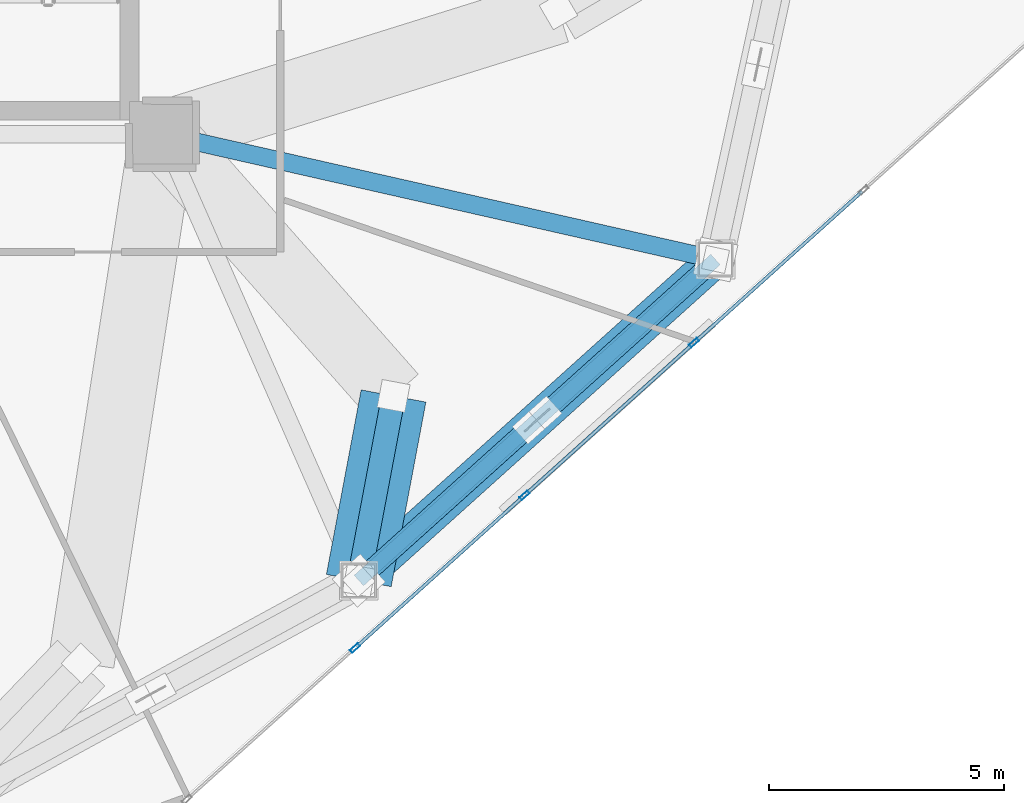
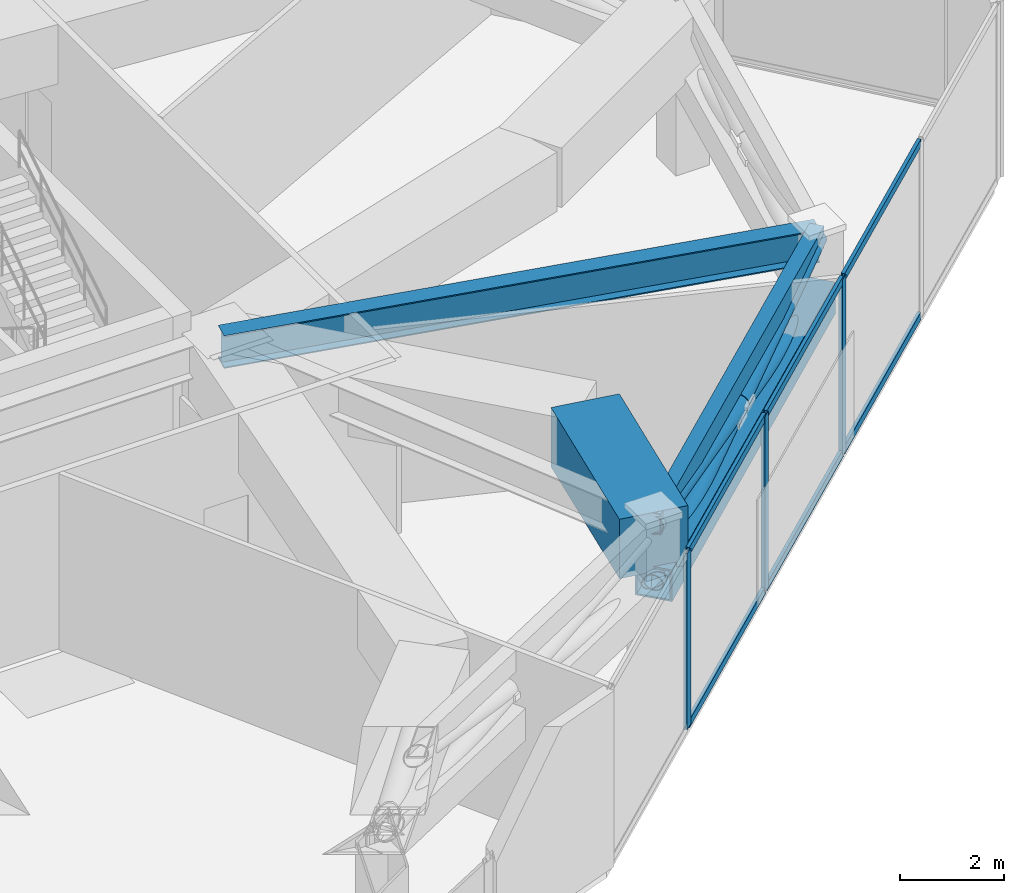
# One storey, part 10 of 25: 14 members, 3 beams, 1 element without a shape of its own.
"""IFC4 building model written with IfcOpenShell, lengths in metres."""

from ifc_helpers import new_model, si_unit, direction, frame, origin, origin_2d, place, context, subcontext, project, spatial, rectangle, hollow_rectangle, hollow_circle, i_section, extrude, source, transform, mapped, material, layer, layer_set, material_profile, profile_set, type_object, type_shapes, element, aggregate, save


model = new_model("IFC4")

# Units and contexts
model_context = context("Model", 3, precision=1e-05, world=origin(), true_north=direction((0.0, 1.0)))
body_context = subcontext(model_context, "Body", "Model", "MODEL_VIEW")
ifc_project = project(units=[si_unit("LENGTHUNIT", "METRE"), si_unit("AREAUNIT", "SQUARE_METRE"), si_unit("VOLUMEUNIT", "CUBIC_METRE"), si_unit("PLANEANGLEUNIT", "RADIAN"), si_unit("MASSUNIT", "GRAM", prefix="KILO")], contexts=[model_context])

# Site, building, storey
site_placement = place(None, origin())
site = spatial("IfcSite", under=ifc_project, at=site_placement, CompositionType="ELEMENT")
building_placement = place(site_placement, origin())
building = spatial("IfcBuilding", under=site, at=building_placement, Name="Talar Marvaseh", CompositionType="ELEMENT")
storey_placement = place(building_placement, frame((0.0, 0.0, 84.800048828125)))
storey = spatial("IfcBuildingStorey", under=building, at=storey_placement, Name="L21", CompositionType="ELEMENT", Elevation=84.800048828125)

# Beams
ifc_material_1 = material(Name="Concrete C70/85", Category="concrete")
ifc_material_profile_1 = material_profile(ifc_material_1, rectangle(XDim=1.39990234375, YDim=1.39990234375, at=origin_2d()), Name="RC1400x1400")
ifc_profile_set_1 = profile_set([ifc_material_profile_1], Name="Concrete C70/85")
beam_type_1 = type_object("IfcBeamType", Name="Setback Deep Concrete Transfer Girder RC1400x1400", PredefinedType="BEAM", material=ifc_profile_set_1)
beam_1_placement = place(storey_placement, frame((37.468017578125, 16.02099609375, 3.449951171875), z_axis=(0.18502758163, 0.982733328038, 0.0), x_axis=(-0.982733328038, 0.18502758163, 0.0)))
element("IfcBeam", 1, at=beam_1_placement, inside=storey, type_object=beam_type_1, Name="L21 Setback Cantilever Transfer Girder 4", PredefinedType="BEAM", context=body_context, shape_type="SweptSolid", body=[
    extrude(rectangle(XDim=1.39990234375, YDim=1.39990234375, at=origin_2d()), origin(), (0.0, 0.0, 1.0), 3.98876953125),
])
ifc_material_2 = material(Name="Steel S355", Category="steel")
ifc_material_profile_2 = material_profile(ifc_material_2, hollow_rectangle(XDim=0.300048828125, YDim=0.5, WallThickness=0.02001953125, at=origin_2d()), Name="RHS500x300x20")
ifc_profile_set_2 = profile_set([ifc_material_profile_2], Name="Steel S355")
beam_type_2 = type_object("IfcBeamType", Name="Zone 1 Perimeter Spandrel Beam RHS500x300x20", PredefinedType="SPANDREL", material=ifc_profile_set_2)
beam_2_placement = place(storey_placement, frame((45.0439453125, 22.840087890625, 3.89990234375), z_axis=(-0.743257224494, -0.669005753516, 0.0), x_axis=(0.669005753516, -0.743257224494, 0.0)))
element("IfcBeam", 2, at=beam_2_placement, inside=storey, type_object=beam_type_2, Name="L21 Zone 1 Perimeter Spandrel Beam RHS500x300x20", PredefinedType="SPANDREL", context=body_context, shape_type="SweptSolid", body=[
    extrude(hollow_rectangle(XDim=0.300048828125, YDim=0.5, WallThickness=0.02001953125, at=origin_2d()), origin(), (0.0, 0.0, 1.0), 10.19287109375),
])
ifc_material_profile_3 = material_profile(ifc_material_2, i_section(OverallWidth=0.381103515625, OverallDepth=0.77294921875, WebThickness=0.0166015625, FlangeThickness=0.027099609375, at=origin_2d()), Name="W760x257")
ifc_profile_set_3 = profile_set([ifc_material_profile_3], Name="Steel S355")
beam_type_3 = type_object("IfcBeamType", Name="Zone 1 Radial Floor Girder W760x257", PredefinedType="BEAM", material=ifc_profile_set_3)
beam_3_placement = place(storey_placement, frame((45.0439453125, 22.840087890625, 3.763427734375), z_axis=(-0.975296900374, 0.220898067263, 0.0), x_axis=(-0.220898067263, -0.975296900374, 0.0)))
element("IfcBeam", 3, at=beam_3_placement, inside=storey, type_object=beam_type_3, Name="L21 Zone 1 Radial Floor Girder W760x257", PredefinedType="BEAM", context=body_context, shape_type="SweptSolid", body=[
    extrude(i_section(OverallWidth=0.381103515625, OverallDepth=0.77294921875, WebThickness=0.0166015625, FlangeThickness=0.027099609375, at=origin_2d()), origin(), (0.0, 0.0, 1.0), 12.041259765625),
])

# Members
ifc_material_3 = material(Name="Steel S460", Category="steel")
ifc_material_profile_4 = material_profile(ifc_material_3, hollow_circle(Radius=0.25390625, WallThickness=0.02001953125, at=origin_2d()), Name="CHS508x20")
ifc_profile_set_4 = profile_set([ifc_material_profile_4], Name="Steel S460")
member_type_1 = type_object("IfcMemberType", Name="Crown Frame Diagonal Brace CHS508x20", PredefinedType="BRACE", material=ifc_profile_set_4)
shared_shape_1 = source(origin(), body_context, "Body", "SweptSolid", [
    extrude(hollow_circle(Radius=0.25390625, WallThickness=0.02001953125, at=origin_2d()), origin(), (0.0, 0.0, 1.0), 4.1376953125),
])
type_shapes(member_type_1, [shared_shape_1])
member_1_placement = place(storey_placement, frame((37.468017578125, 16.02099609375, 2.550048828125), z_axis=(0.178370996439, 0.94737833901, 0.265815858074), x_axis=(-0.982733328038, 0.18502758163, 0.0)))
element("IfcMember", 4, at=member_1_placement, inside=storey, type_object=member_type_1, Name="L21 Setback Transfer Raked Strut 4", PredefinedType="BRACE", context=body_context, shape_type="MappedRepresentation", body=[
    mapped(shared_shape_1, transform((0.0, 0.0, 0.0), x_axis=(1.0, 0.0, 0.0), y_axis=(0.0, 1.0, 0.0), z_axis=(0.0, 0.0, 1.0), scale=1.0)),
])
ifc_material_profile_5 = material_profile(ifc_material_3, hollow_rectangle(XDim=0.75, YDim=0.75, WallThickness=0.0400390625, at=origin_2d()), Name="BOX750x750x40")
ifc_profile_set_5 = profile_set([ifc_material_profile_5], Name="Steel S460")
member_type_2 = type_object("IfcMemberType", Name="Belt Truss Chord Member BOX750x750x40", PredefinedType="CHORD", material=ifc_profile_set_5)
shared_shape_2 = source(origin(), body_context, "Body", "SweptSolid", [
    extrude(hollow_rectangle(XDim=0.75, YDim=0.75, WallThickness=0.0400390625, at=origin_2d()), origin(), (0.0, 0.0, 1.0), 10.19287109375),
])
type_shapes(member_type_2, [shared_shape_2])
member_2_placement = place(storey_placement, frame((45.0439453125, 22.840087890625, 2.5), z_axis=(-0.743257224494, -0.669005753516, 0.0), x_axis=(0.669005753516, -0.743257224494, 0.0)))
element("IfcMember", 5, at=member_2_placement, inside=storey, type_object=member_type_2, Name="L21 Belt Truss Bottom Chord 3", PredefinedType="CHORD", context=body_context, shape_type="MappedRepresentation", body=[
    mapped(shared_shape_2, transform((0.0, 0.0, 0.0), x_axis=(1.0, 0.0, 0.0), y_axis=(0.0, 1.0, 0.0), z_axis=(0.0, 0.0, 1.0), scale=1.0)),
])
ifc_material_profile_6 = material_profile(ifc_material_3, hollow_circle(Radius=0.203125, WallThickness=0.01611328125, at=origin_2d()), Name="CHS406x16")
ifc_profile_set_6 = profile_set([ifc_material_profile_6], Name="Steel S460")
member_type_3 = type_object("IfcMemberType", Name="Belt Truss Diagonal Brace CHS406x16", PredefinedType="BRACE", material=ifc_profile_set_6)
shared_shape_3 = source(origin(), body_context, "Body", "SweptSolid", [
    extrude(hollow_circle(Radius=0.203125, WallThickness=0.01611328125, at=origin_2d()), origin(), (0.0, 0.0, 1.0), 10.281982421875),
])
member_3_placement = place(storey_placement, frame((45.0439453125, 22.840087890625, 2.5), z_axis=(-0.736824099625, -0.663215298464, 0.131284858588), x_axis=(0.669005753516, -0.743257224494, 0.0)))
element("IfcMember", 6, at=member_3_placement, inside=storey, type_object=member_type_3, Name="L21 Belt Truss Continuous Diagonal 3", PredefinedType="BRACE", context=body_context, shape_type="MappedRepresentation", body=[
    mapped(shared_shape_3, transform((0.0, 0.0, 0.0), x_axis=(1.0, 0.0, 0.0), y_axis=(0.0, 1.0, 0.0), z_axis=(0.0, 0.0, 1.0), scale=1.0)),
])
shared_shape_4 = source(origin(), body_context, "Body", "SweptSolid", [
    extrude(hollow_circle(Radius=0.203125, WallThickness=0.01611328125, at=origin_2d()), origin(), (0.0, 0.0, 1.0), 4.90087890625),
])
type_shapes(member_type_3, [shared_shape_3, shared_shape_4])
for number, where, z_axis, x_axis, name in (
    (7, (37.468017578125, 16.02099609375, 2.5), (0.736830453674, 0.663202206055, 0.131315332018), (-0.668995270509, 0.743266660114, 0.0), "L21 Belt Truss Split Diagonal Lower 3"),
    (8, (41.432861328125, 19.589599609375, 3.20654296875), (0.736810929157, 0.663234447353, 0.131262037613), (-0.669023030193, 0.743241673395, 0.0), "L21 Belt Truss Split Diagonal Upper 3"),
):
    element("IfcMember", number, at=place(storey_placement, frame(where, z_axis=z_axis, x_axis=x_axis)), inside=storey, type_object=member_type_3, Name=name, PredefinedType="BRACE", context=body_context, shape_type="MappedRepresentation", body=[
        mapped(shared_shape_4, transform((0.0, 0.0, 0.0), x_axis=(1.0, 0.0, 0.0), y_axis=(0.0, 1.0, 0.0), z_axis=(0.0, 0.0, 1.0), scale=1.0)),
    ])

# Curtain wall, members
ifc_material_4 = material(Name="Architectural Aluminium", Category="aluminium")
ifc_layer = layer(ifc_material_4, 0.219970703125)
ifc_layer_set = layer_set([ifc_layer], Name="Architectural Aluminium")
curtain_wall_type = type_object("IfcCurtainWallType", Name="Unitised Low-E Museum Curtain Wall Z1", PredefinedType="NOTDEFINED", material=ifc_layer_set)
curtain_wall_placement = place(storey_placement, origin())
curtain_wall = element("IfcCurtainWall", 9, at=curtain_wall_placement, inside=storey, type_object=curtain_wall_type, Name="L21 Unitised Low-E Museum Curtain Wall Z1", PredefinedType="NOTDEFINED")
ifc_material_profile_7 = material_profile(ifc_material_4, hollow_rectangle(XDim=0.074951171875, YDim=0.179931640625, WallThickness=0.0048828125, at=origin_2d()), Name="RHS180x75x5")
ifc_profile_set_7 = profile_set([ifc_material_profile_7], Name="Architectural Aluminium")
member_type_4 = type_object("IfcMemberType", Name="Unitised Curtain Wall Transom RHS180x75x5", PredefinedType="USERDEFINED", material=ifc_profile_set_7)
shared_shape_5 = source(origin(), body_context, "Body", "SweptSolid", [
    extrude(hollow_rectangle(XDim=0.074951171875, YDim=0.179931640625, WallThickness=0.0048828125, at=origin_2d()), origin(), (0.0, 0.0, 1.0), 4.765380859375),
])
member_4_placement = place(storey_placement, frame((48.16015625, 24.286376953125, 0.037353515625), z_axis=(-0.743273766325, -0.668987375287, 0.0), x_axis=(0.668987375287, -0.743273766325, 0.0)))
member_4 = element("IfcMember", 10, at=member_4_placement, type_object=member_type_4, Name="CW-Z1 transom 2.1", ObjectType="TRANSOM", PredefinedType="USERDEFINED", context=body_context, shape_type="MappedRepresentation", body=[
    mapped(shared_shape_5, transform((0.0, 0.0, 0.0), x_axis=(1.0, 0.0, 0.0), y_axis=(0.0, 1.0, 0.0), z_axis=(0.0, 0.0, 1.0), scale=1.0)),
])
member_5_placement = place(storey_placement, frame((48.16015625, 24.286376953125, 4.112548828125), z_axis=(-0.743273766325, -0.668987375287, 0.0), x_axis=(0.668987375287, -0.743273766325, 0.0)))
member_5 = element("IfcMember", 11, at=member_5_placement, type_object=member_type_4, Name="CW-Z1 transom 2.2", ObjectType="TRANSOM", PredefinedType="USERDEFINED", context=body_context, shape_type="MappedRepresentation", body=[
    mapped(shared_shape_5, transform((0.0, 0.0, 0.0), x_axis=(1.0, 0.0, 0.0), y_axis=(0.0, 1.0, 0.0), z_axis=(0.0, 0.0, 1.0), scale=1.0)),
])
member_6_placement = place(storey_placement, frame((44.558837890625, 21.044677734375, 0.037353515625), z_axis=(-0.743273766325, -0.668987375287, 0.0), x_axis=(0.668987375287, -0.743273766325, 0.0)))
member_6 = element("IfcMember", 12, at=member_6_placement, type_object=member_type_4, Name="CW-Z1 transom 3.1", ObjectType="TRANSOM", PredefinedType="USERDEFINED", context=body_context, shape_type="MappedRepresentation", body=[
    mapped(shared_shape_5, transform((0.0, 0.0, 0.0), x_axis=(1.0, 0.0, 0.0), y_axis=(0.0, 1.0, 0.0), z_axis=(0.0, 0.0, 1.0), scale=1.0)),
])
member_7_placement = place(storey_placement, frame((44.558837890625, 21.044677734375, 4.112548828125), z_axis=(-0.743273766325, -0.668987375287, 0.0), x_axis=(0.668987375287, -0.743273766325, 0.0)))
member_7 = element("IfcMember", 13, at=member_7_placement, type_object=member_type_4, Name="CW-Z1 transom 3.2", ObjectType="TRANSOM", PredefinedType="USERDEFINED", context=body_context, shape_type="MappedRepresentation", body=[
    mapped(shared_shape_5, transform((0.0, 0.0, 0.0), x_axis=(1.0, 0.0, 0.0), y_axis=(0.0, 1.0, 0.0), z_axis=(0.0, 0.0, 1.0), scale=1.0)),
])
ifc_material_profile_8 = material_profile(ifc_material_4, hollow_rectangle(XDim=0.080078125, YDim=0.219970703125, WallThickness=0.0048828125, at=origin_2d()), Name="RHS220x80x5")
ifc_profile_set_8 = profile_set([ifc_material_profile_8], Name="Architectural Aluminium")
member_type_5 = type_object("IfcMemberType", Name="Unitised Curtain Wall Heavy Mullion RHS220x80x5", PredefinedType="MULLION", material=ifc_profile_set_8)
shared_shape_6 = source(origin(), body_context, "Body", "SweptSolid", [
    extrude(hollow_rectangle(XDim=0.080078125, YDim=0.219970703125, WallThickness=0.0048828125, at=origin_2d()), origin(), (0.0, 0.0, 1.0), 4.14990234375),
])
type_shapes(member_type_5, [shared_shape_6])
member_8_placement = place(storey_placement, frame((44.58837890625, 21.071533203125, 0.0), z_axis=(0.0, 0.0, 1.0), x_axis=(0.669016040785, -0.743247964796, 0.0)))
member_8 = element("IfcMember", 14, at=member_8_placement, type_object=member_type_5, Name="CW-Z1 mullion 3", PredefinedType="MULLION", context=body_context, shape_type="MappedRepresentation", body=[
    mapped(shared_shape_6, transform((0.0, 0.0, 0.0), x_axis=(1.0, 0.0, 0.0), y_axis=(0.0, 1.0, 0.0), z_axis=(0.0, 0.0, 1.0), scale=1.0)),
])
member_9_placement = place(storey_placement, frame((40.9873046875, 17.829833984375, 0.0), z_axis=(0.0, 0.0, 1.0), x_axis=(0.669016040785, -0.743247964796, 0.0)))
member_9 = element("IfcMember", 15, at=member_9_placement, type_object=member_type_5, Name="CW-Z1 mullion 4", PredefinedType="MULLION", context=body_context, shape_type="MappedRepresentation", body=[
    mapped(shared_shape_6, transform((0.0, 0.0, 0.0), x_axis=(1.0, 0.0, 0.0), y_axis=(0.0, 1.0, 0.0), z_axis=(0.0, 0.0, 1.0), scale=1.0)),
])
member_10_placement = place(storey_placement, frame((37.385986328125, 14.58837890625, 0.0), z_axis=(0.0, 0.0, 1.0), x_axis=(0.669016040785, -0.743247964796, 0.0)))
member_10 = element("IfcMember", 16, at=member_10_placement, type_object=member_type_5, Name="CW-Z1 mullion 5", PredefinedType="MULLION", context=body_context, shape_type="MappedRepresentation", body=[
    mapped(shared_shape_6, transform((0.0, 0.0, 0.0), x_axis=(1.0, 0.0, 0.0), y_axis=(0.0, 1.0, 0.0), z_axis=(0.0, 0.0, 1.0), scale=1.0)),
])
shared_shape_7 = source(origin(), body_context, "Body", "SweptSolid", [
    extrude(hollow_rectangle(XDim=0.074951171875, YDim=0.179931640625, WallThickness=0.0048828125, at=origin_2d()), origin(), (0.0, 0.0, 1.0), 4.765625),
])
type_shapes(member_type_4, [shared_shape_5, shared_shape_7])
member_11_placement = place(storey_placement, frame((40.95751953125, 17.80322265625, 0.037353515625), z_axis=(-0.743248292023, -0.669015677249, 0.0), x_axis=(0.669015677249, -0.743248292023, 0.0)))
member_11 = element("IfcMember", 17, at=member_11_placement, type_object=member_type_4, Name="CW-Z1 transom 4.1", ObjectType="TRANSOM", PredefinedType="USERDEFINED", context=body_context, shape_type="MappedRepresentation", body=[
    mapped(shared_shape_7, transform((0.0, 0.0, 0.0), x_axis=(1.0, 0.0, 0.0), y_axis=(0.0, 1.0, 0.0), z_axis=(0.0, 0.0, 1.0), scale=1.0)),
])
member_12_placement = place(storey_placement, frame((40.95751953125, 17.80322265625, 4.112548828125), z_axis=(-0.743248292023, -0.669015677249, 0.0), x_axis=(0.669015677249, -0.743248292023, 0.0)))
member_12 = element("IfcMember", 18, at=member_12_placement, type_object=member_type_4, Name="CW-Z1 transom 4.2", ObjectType="TRANSOM", PredefinedType="USERDEFINED", context=body_context, shape_type="MappedRepresentation", body=[
    mapped(shared_shape_7, transform((0.0, 0.0, 0.0), x_axis=(1.0, 0.0, 0.0), y_axis=(0.0, 1.0, 0.0), z_axis=(0.0, 0.0, 1.0), scale=1.0)),
])
aggregate(curtain_wall, [member_8, member_9, member_10, member_4, member_5, member_6, member_7, member_11, member_12])

save(model, "model.ifc")
